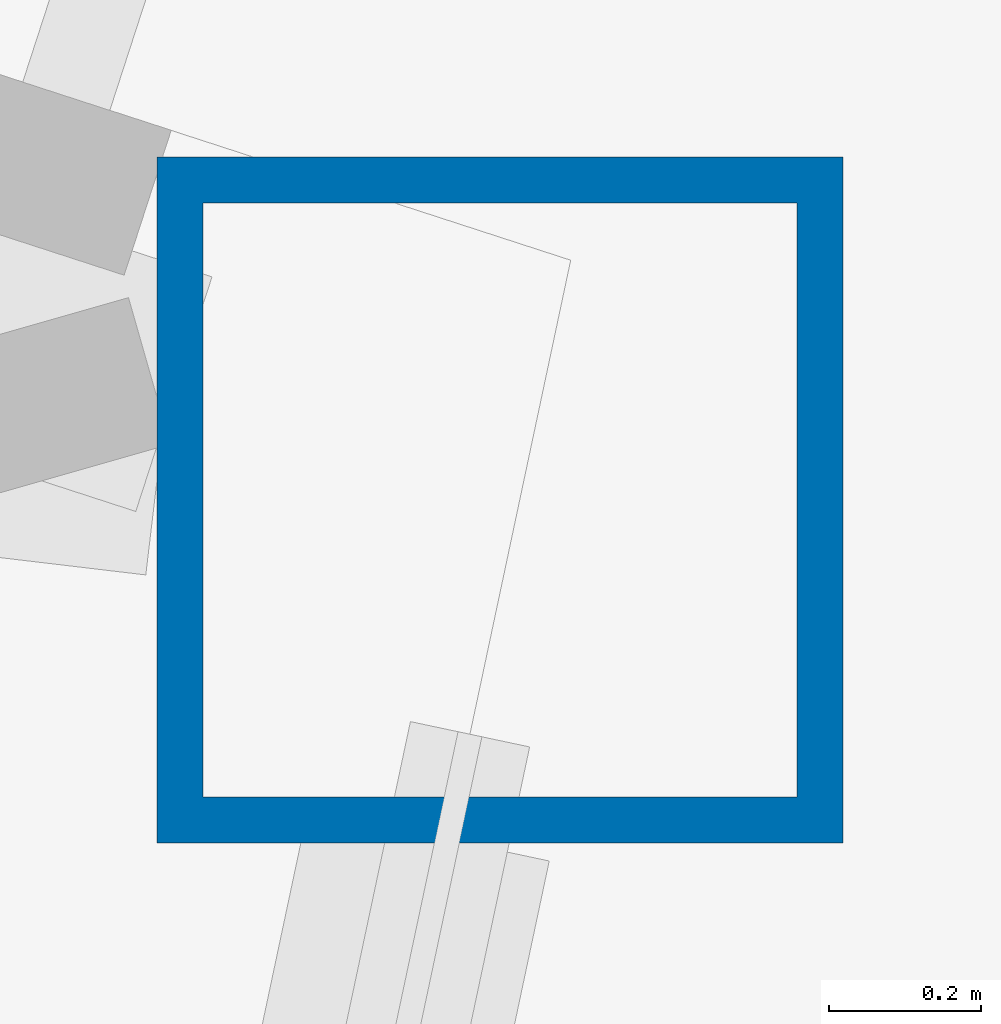
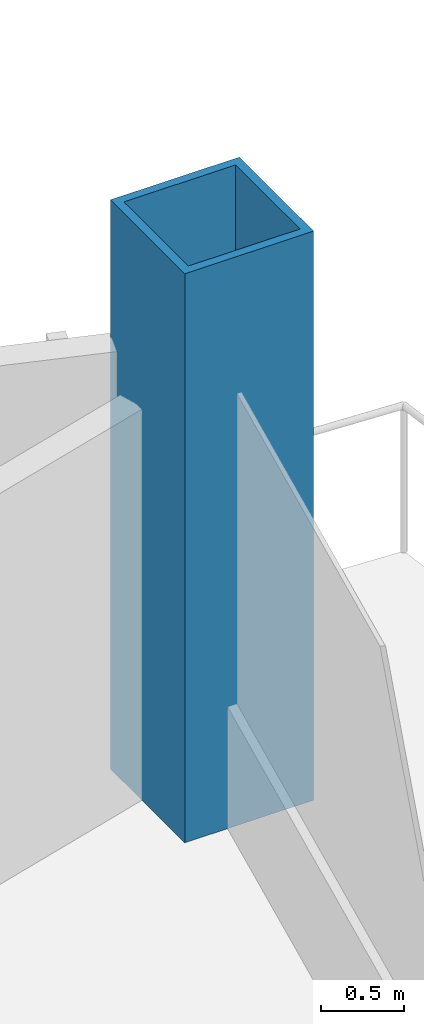
# One storey, part 2 of 21: 1 column.
"""IFC4 building model written with IfcOpenShell, lengths in metres."""

from ifc_helpers import new_model, si_unit, direction, frame, origin, origin_2d, place, context, subcontext, project, spatial, hollow_rectangle, extrude, material, material_profile, profile_set, type_object, element, save


model = new_model("IFC4")

# Units and contexts
model_context = context("Model", 3, precision=1e-05, world=origin(), true_north=direction((0.0, 1.0)))
body_context = subcontext(model_context, "Body", "Model", "MODEL_VIEW")
ifc_project = project(units=[si_unit("LENGTHUNIT", "METRE"), si_unit("AREAUNIT", "SQUARE_METRE"), si_unit("VOLUMEUNIT", "CUBIC_METRE"), si_unit("PLANEANGLEUNIT", "RADIAN"), si_unit("MASSUNIT", "GRAM", prefix="KILO")], contexts=[model_context])

# Site, building, storey
site_placement = place(None, origin())
site = spatial("IfcSite", under=ifc_project, at=site_placement, CompositionType="ELEMENT")
building_placement = place(site_placement, origin())
building = spatial("IfcBuilding", under=site, at=building_placement, Name="Cormorant Prow Tower", CompositionType="ELEMENT")
storey_placement = place(building_placement, frame((0.0, 0.0, 129.0)))
storey = spatial("IfcBuildingStorey", under=building, at=storey_placement, Name="L27", CompositionType="ELEMENT", Elevation=129.0)

# Column
ifc_material = material(Name="Structural steel ASTM A572 Gr 50", Category="steel")
ifc_material_profile = material_profile(ifc_material, hollow_rectangle(XDim=0.89990234375, YDim=0.89990234375, WallThickness=0.06005859375, at=origin_2d()), Name="Box 900x900x60")
ifc_profile_set = profile_set([ifc_material_profile], Name="Structural steel ASTM A572 Gr 50")
column_type = type_object("IfcColumnType", Name="Perimeter box column 900x900x60", PredefinedType="COLUMN", material=ifc_profile_set)
column_placement = place(storey_placement, frame((32.1962890625, -4.967041015625, 0.0), z_axis=(0.0, 0.0, 1.0), x_axis=(1.0, 0.0, 0.0)))
element("IfcColumn", 1, at=column_placement, inside=storey, type_object=column_type, Name="Perimeter column C3 at ENE01 L27", PredefinedType="COLUMN", context=body_context, shape_type="SweptSolid", body=[
    extrude(hollow_rectangle(XDim=0.89990234375, YDim=0.89990234375, WallThickness=0.06005859375, at=origin_2d()), origin(), (0.0, 0.0, 1.0), 4.199951171875),
])

save(model, "model.ifc")
